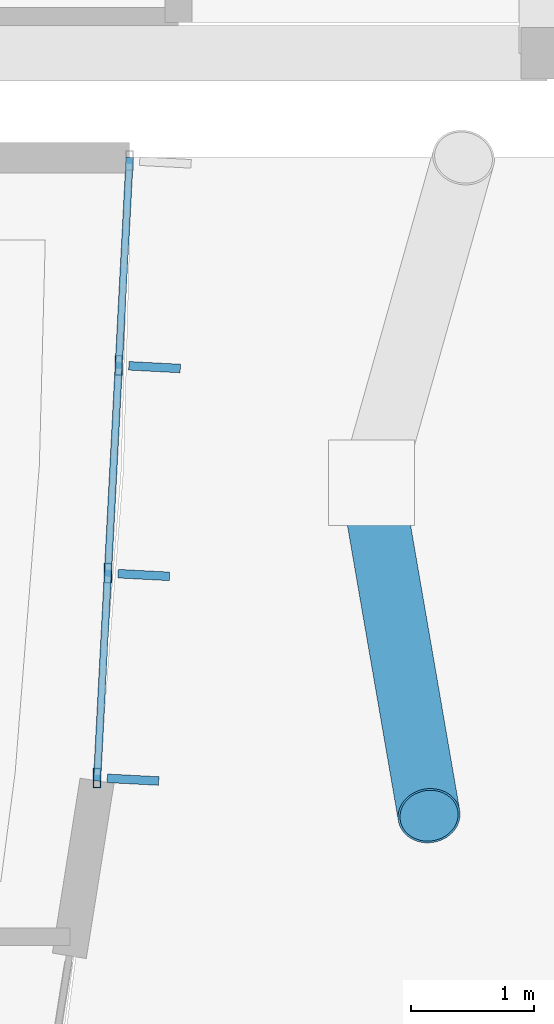
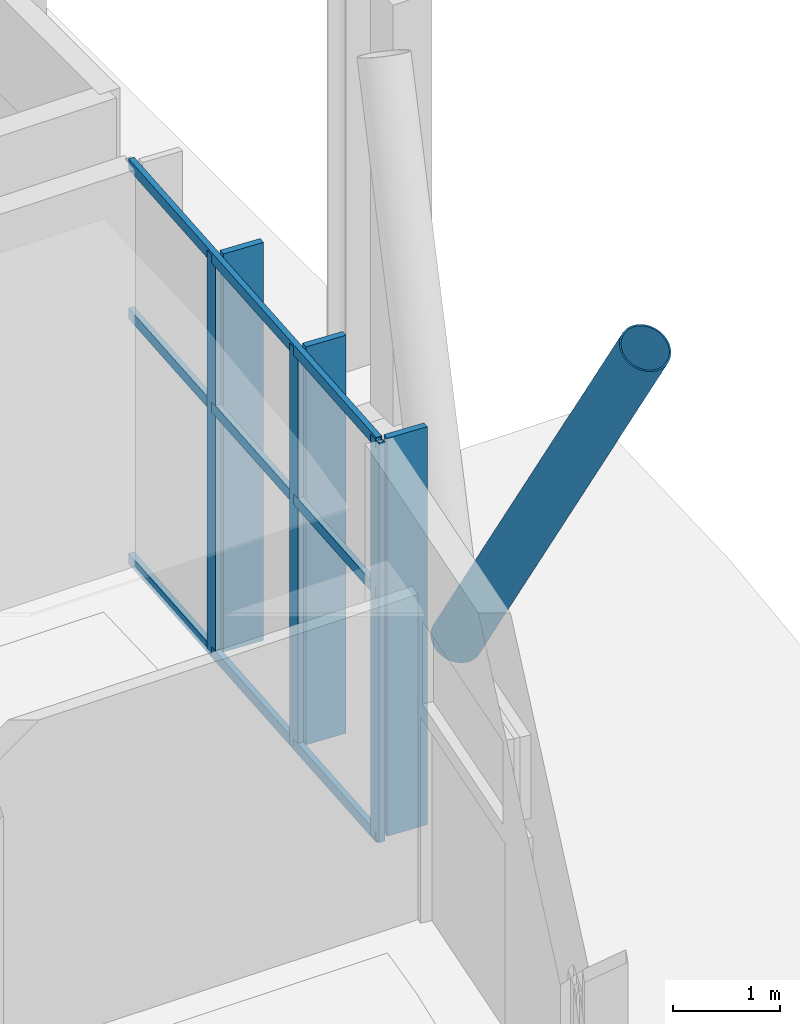
# One storey, part 84 of 151: 10 members, 1 element without a shape of its own.
"""IFC4 building model written with IfcOpenShell, lengths in metres."""

from ifc_helpers import new_model, si_unit, direction, frame, origin, origin_2d, place, context, subcontext, project, spatial, rectangle, hollow_rectangle, hollow_circle, extrude, material, material_profile, profile_set, type_object, element, aggregate, save


model = new_model("IFC4")

# Units and contexts
model_context = context("Model", 3, precision=1e-05, world=origin(), true_north=direction((0.0, 1.0)))
body_context = subcontext(model_context, "Body", "Model", "MODEL_VIEW")
ifc_project = project(units=[si_unit("LENGTHUNIT", "METRE"), si_unit("AREAUNIT", "SQUARE_METRE"), si_unit("VOLUMEUNIT", "CUBIC_METRE"), si_unit("PLANEANGLEUNIT", "RADIAN"), si_unit("MASSUNIT", "GRAM", prefix="KILO")], contexts=[model_context])

# Site, building, storey
site_placement = place(None, origin())
site = spatial("IfcSite", under=ifc_project, at=site_placement, CompositionType="ELEMENT")
building_placement = place(site_placement, origin())
building = spatial("IfcBuilding", under=site, at=building_placement, Name="Chiffa Square Polytechnic", CompositionType="ELEMENT")
storey_placement = place(building_placement, origin())
storey = spatial("IfcBuildingStorey", under=building, at=storey_placement, Name="L00", CompositionType="ELEMENT", Elevation=0.0)

# Member
ifc_material_1 = material(Name="Steel S355", Category="steel")
ifc_material_profile_1 = material_profile(ifc_material_1, hollow_circle(Radius=0.25390625, WallThickness=0.01611328125, at=origin_2d()), Name="CHS 508x16")
ifc_profile_set_1 = profile_set([ifc_material_profile_1], Name="Steel S355")
member_type_1 = type_object("IfcMemberType", Name="COL-VSTRUT-508", PredefinedType="STRUT", material=ifc_profile_set_1)
member_1_placement = place(storey_placement, frame((173.77197265625, 54.699951171875, 0.0), z_axis=(0.084572090071, -0.49040341848, 0.867382296755), x_axis=(0.985453460985, 0.169945509599, 0.0)))
element("IfcMember", 1, at=member_1_placement, inside=storey, type_object=member_type_1, Name="Prow steel V-strut CV-V1-L00-09L", PredefinedType="STRUT", context=body_context, shape_type="SweptSolid", body=[
    extrude(hollow_circle(Radius=0.25390625, WallThickness=0.01611328125, at=origin_2d()), origin(), (0.0, 0.0, 1.0), 5.533935546875),
])

# Curtain wall, members
ifc_material_2 = material(Name="Aluminium EN AW-6060 T66 and glulam shading", Category="wood")
curtain_wall_type = type_object("IfcCurtainWallType", Name="CW-VERT-600X440", PredefinedType="USERDEFINED", material=ifc_material_2)
curtain_wall_placement = place(storey_placement, origin())
curtain_wall = element("IfcCurtainWall", 2, at=curtain_wall_placement, inside=storey, type_object=curtain_wall_type, Name="Curtain wall CW-V1-L00-009", ObjectType="CURTAIN WALL", PredefinedType="USERDEFINED")
ifc_material_3 = material(Name="Aluminium EN AW-6060 T66", Category="aluminium")
ifc_material_profile_2 = material_profile(ifc_material_3, hollow_rectangle(XDim=0.06005859375, YDim=0.159912109375, WallThickness=0.00390625, at=origin_2d()), Name="ALU 60x160x4")
ifc_profile_set_2 = profile_set([ifc_material_profile_2], Name="Aluminium EN AW-6060 T66")
member_type_2 = type_object("IfcMemberType", Name="CWM-ALU-65X150", PredefinedType="MULLION", material=ifc_profile_set_2)
member_2_placement = place(storey_placement, frame((171.534912109375, 52.294921875, -0.02001953125), z_axis=(0.0, 0.0, 1.0), x_axis=(1.0, 0.0, 0.0)))
member_2 = element("IfcMember", 3, at=member_2_placement, type_object=member_type_2, Name="Curtain wall mullion CW-V1-L00-009-M00", PredefinedType="MULLION", context=body_context, shape_type="SweptSolid", body=[
    extrude(hollow_rectangle(XDim=0.06005859375, YDim=0.159912109375, WallThickness=0.00390625, at=origin_2d()), origin(), (0.0, 0.0, 1.0), 4.554931640625),
])
member_3_placement = place(storey_placement, frame((171.623046875, 53.962890625, -0.02001953125), z_axis=(0.0, 0.0, 1.0), x_axis=(1.0, 0.0, 0.0)))
member_3 = element("IfcMember", 4, at=member_3_placement, type_object=member_type_2, Name="Curtain wall mullion CW-V1-L00-009-M01", PredefinedType="MULLION", context=body_context, shape_type="SweptSolid", body=[
    extrude(hollow_rectangle(XDim=0.06005859375, YDim=0.159912109375, WallThickness=0.00390625, at=origin_2d()), origin(), (0.0, 0.0, 1.0), 4.554931640625),
])
member_4_placement = place(storey_placement, frame((171.7109375, 55.656982421875, -0.02001953125), z_axis=(0.0, 0.0, 1.0), x_axis=(1.0, 0.0, 0.0)))
member_4 = element("IfcMember", 5, at=member_4_placement, type_object=member_type_2, Name="Curtain wall mullion CW-V1-L00-009-M02", PredefinedType="MULLION", context=body_context, shape_type="SweptSolid", body=[
    extrude(hollow_rectangle(XDim=0.06005859375, YDim=0.159912109375, WallThickness=0.00390625, at=origin_2d()), origin(), (0.0, 0.0, 1.0), 4.554931640625),
])
ifc_material_4 = material(Name="Glulam GL28h", Category="wood")
ifc_material_profile_3 = material_profile(ifc_material_4, rectangle(XDim=0.070068359375, YDim=0.419921875, at=origin_2d()), Name="GL28h 70x420")
ifc_profile_set_3 = profile_set([ifc_material_profile_3], Name="Glulam GL28h")
member_type_3 = type_object("IfcMemberType", Name="CWM-GL-70X420", PredefinedType="MULLION", material=ifc_profile_set_3)
member_5_placement = place(storey_placement, frame((171.826904296875, 52.280029296875, -0.010009765625), z_axis=(0.0, 0.0, 1.0), x_axis=(0.052283668051, 0.99863227369, 0.0)))
member_5 = element("IfcMember", 6, at=member_5_placement, type_object=member_type_3, Name="Exterior glulam solar fin CW-V1-L00-009-FN00", PredefinedType="MULLION", context=body_context, shape_type="SweptSolid", body=[
    extrude(rectangle(XDim=0.070068359375, YDim=0.419921875, at=origin_2d()), origin(), (0.0, 0.0, 1.0), 4.534912109375),
])
member_6_placement = place(storey_placement, frame((171.9150390625, 53.947998046875, -0.010009765625), z_axis=(0.0, 0.0, 1.0), x_axis=(0.052283668051, 0.99863227369, 0.0)))
member_6 = element("IfcMember", 7, at=member_6_placement, type_object=member_type_3, Name="Exterior glulam solar fin CW-V1-L00-009-FN01", PredefinedType="MULLION", context=body_context, shape_type="SweptSolid", body=[
    extrude(rectangle(XDim=0.070068359375, YDim=0.419921875, at=origin_2d()), origin(), (0.0, 0.0, 1.0), 4.534912109375),
])
member_7_placement = place(storey_placement, frame((172.0029296875, 55.64208984375, -0.010009765625), z_axis=(0.0, 0.0, 1.0), x_axis=(0.052283668051, 0.99863227369, 0.0)))
member_7 = element("IfcMember", 8, at=member_7_placement, type_object=member_type_3, Name="Exterior glulam solar fin CW-V1-L00-009-FN02", PredefinedType="MULLION", context=body_context, shape_type="SweptSolid", body=[
    extrude(rectangle(XDim=0.070068359375, YDim=0.419921875, at=origin_2d()), origin(), (0.0, 0.0, 1.0), 4.534912109375),
])
ifc_material_profile_4 = material_profile(ifc_material_3, hollow_rectangle(XDim=0.06005859375, YDim=0.1201171875, WallThickness=0.00390625, at=origin_2d()), Name="ALU 60x120x4")
ifc_profile_set_4 = profile_set([ifc_material_profile_4], Name="Aluminium EN AW-6060 T66")
member_type_4 = type_object("IfcMemberType", Name="CWT-ALU-65X120", PredefinedType="USERDEFINED", material=ifc_profile_set_4)
member_8_placement = place(storey_placement, frame((171.533935546875, 52.26806640625, 0.010009765625), z_axis=(0.052271890624, 0.998632890231, 0.0), x_axis=(-0.998632890231, 0.052271890624, 0.0)))
member_8 = element("IfcMember", 9, at=member_8_placement, type_object=member_type_4, Name="Curtain wall transom CW-V1-L00-009-T01", ObjectType="TRANSOM", PredefinedType="USERDEFINED", context=body_context, shape_type="SweptSolid", body=[
    extrude(hollow_rectangle(XDim=0.06005859375, YDim=0.1201171875, WallThickness=0.00390625, at=origin_2d()), origin(), (0.0, 0.0, 1.0), 5.091064453125),
])
member_9_placement = place(storey_placement, frame((171.533935546875, 52.26806640625, 2.803955078125), z_axis=(0.052271890624, 0.998632890231, 0.0), x_axis=(-0.998632890231, 0.052271890624, 0.0)))
member_9 = element("IfcMember", 10, at=member_9_placement, type_object=member_type_4, Name="Curtain wall transom CW-V1-L00-009-T02", ObjectType="TRANSOM", PredefinedType="USERDEFINED", context=body_context, shape_type="SweptSolid", body=[
    extrude(hollow_rectangle(XDim=0.06005859375, YDim=0.1201171875, WallThickness=0.00390625, at=origin_2d()), origin(), (0.0, 0.0, 1.0), 5.091064453125),
])
member_10_placement = place(storey_placement, frame((171.533935546875, 52.26806640625, 4.5048828125), z_axis=(0.052271890624, 0.998632890231, 0.0), x_axis=(-0.998632890231, 0.052271890624, 0.0)))
member_10 = element("IfcMember", 11, at=member_10_placement, type_object=member_type_4, Name="Curtain wall transom CW-V1-L00-009-T03", ObjectType="TRANSOM", PredefinedType="USERDEFINED", context=body_context, shape_type="SweptSolid", body=[
    extrude(hollow_rectangle(XDim=0.06005859375, YDim=0.1201171875, WallThickness=0.00390625, at=origin_2d()), origin(), (0.0, 0.0, 1.0), 5.091064453125),
])
aggregate(curtain_wall, [member_2, member_5, member_3, member_6, member_4, member_7, member_8, member_9, member_10])

save(model, "model.ifc")
